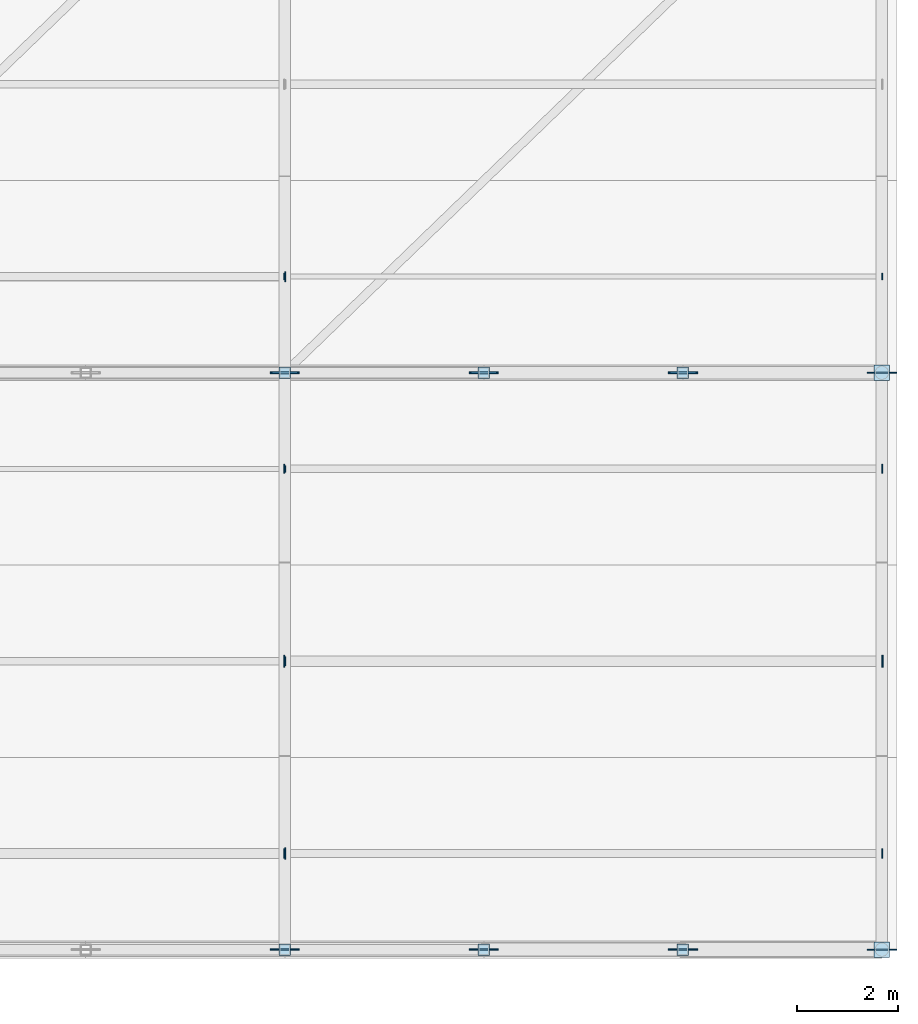
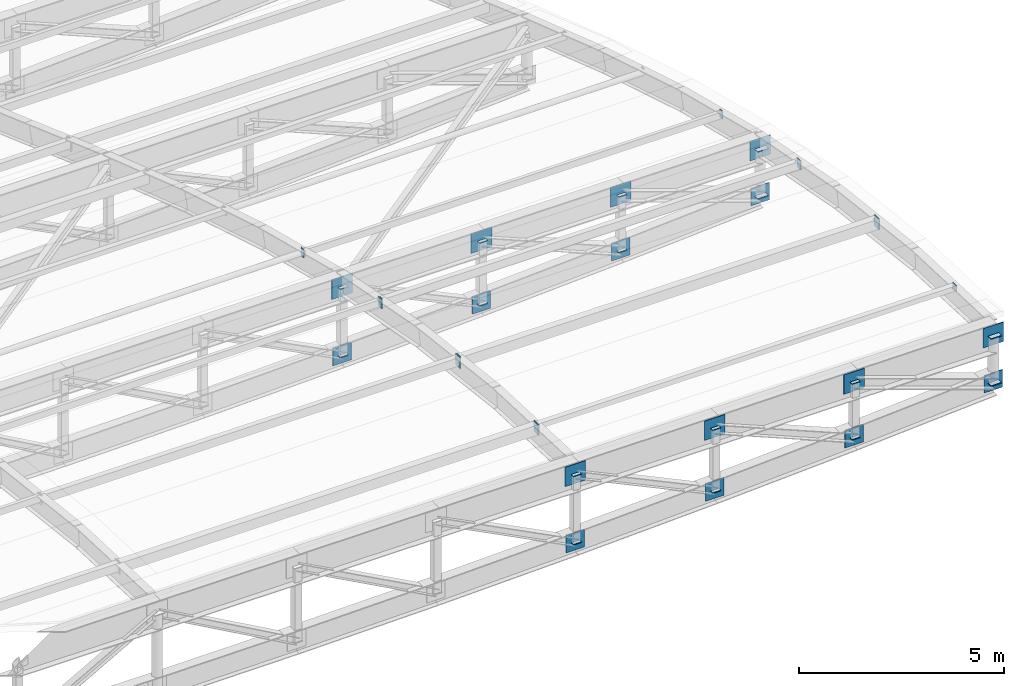
# One storey, part 42 of 65: 44 plates.
"""IFC4 building model written with IfcOpenShell, lengths in metres."""

import ifcopenshell
import ifcopenshell.guid

model = None  # the IFC model being written
_history = None  # IfcOwnerHistory: only IFC2X3 demands one
_inside = {}  # id of a spatial element -> (the spatial element, [elements in it])
_under = {}  # id of a project, library or spatial element -> (it, [spatial elements below it])
_declared = {}  # id of a project -> (the project, [libraries it declares])
_typed = {}  # id of a type object -> (the type object, [elements of that type])
_made_of = {}  # id of a material, layer set ... -> (it, [elements and type objects made of it])


def new_model(schema):
    """Start an empty IFC model of exactly this schema.

    Asked for "IFC4X3", IfcOpenShell would pick the latest addendum, in which some entities
    have other attributes; the version numbers below select the first issue.
    IFC2X3 requires an IfcOwnerHistory on every rooted entity: one is made here for all.
    """
    global model, _history
    if schema == "IFC4X3":
        model = ifcopenshell.file(schema_version=(4, 3, 0, 0))
    else:
        model = ifcopenshell.file(schema=schema)
    _inside.clear()
    _under.clear()
    _declared.clear()
    _typed.clear()
    _made_of.clear()
    _history = None
    if model.schema == "IFC2X3":
        org = make("IfcOrganization", Name="unknown")
        user = make(
            "IfcPersonAndOrganization",
            ThePerson=make("IfcPerson", FamilyName="unknown"),
            TheOrganization=org,
        )
        app = make(
            "IfcApplication",
            ApplicationDeveloper=org,
            Version="unknown",
            ApplicationFullName="unknown",
            ApplicationIdentifier="unknown",
        )
        _history = make(
            "IfcOwnerHistory",
            OwningUser=user,
            OwningApplication=app,
            ChangeAction="ADDED",
            CreationDate=0,
        )
    return model


def make(cls, **values):
    """One entity of the class cls with the attributes given. An attribute that is None is left unset."""
    return model.create_entity(
        cls, **{name: value for name, value in values.items() if value is not None}
    )


def rooted(cls, **values):
    """An entity with a GlobalId (a new one), such as an element, a storey or a relation."""
    return make(cls, GlobalId=ifcopenshell.guid.new(), OwnerHistory=_history, **values)


def si_unit(unit_type, name, prefix=None):
    """IfcSIUnit, for example si_unit("LENGTHUNIT", "METRE", prefix="MILLI")."""
    return make("IfcSIUnit", UnitType=unit_type, Prefix=prefix, Name=name)


def assignment(units):
    """IfcUnitAssignment: the units of a project."""
    return None if units is None else make("IfcUnitAssignment", Units=units)


def point(xyz):
    """IfcCartesianPoint."""
    return None if xyz is None else make("IfcCartesianPoint", Coordinates=xyz)


def direction(xyz):
    """IfcDirection."""
    return None if xyz is None else make("IfcDirection", DirectionRatios=xyz)


def frame(location, z_axis=None, x_axis=None):
    """IfcAxis2Placement3D, a coordinate frame: its origin and axes. An axis left out is left unset."""
    return make(
        "IfcAxis2Placement3D",
        Location=point(location),
        Axis=direction(z_axis),
        RefDirection=direction(x_axis),
    )


def frame_2d(location, x_axis=None):
    """IfcAxis2Placement2D, a coordinate frame in the plane: its origin and x axis."""
    return make(
        "IfcAxis2Placement2D", Location=point(location), RefDirection=direction(x_axis)
    )


def origin():
    """The frame at (0, 0, 0) with its axes left unset."""
    return frame((0.0, 0.0, 0.0))


def origin_2d():
    """The frame at (0, 0) in the plane with its x axis left unset."""
    return frame_2d((0.0, 0.0))


def place(relative_to, where):
    """IfcLocalPlacement: puts the frame where relative to a parent placement (None: the world)."""
    return make(
        "IfcLocalPlacement", PlacementRelTo=relative_to, RelativePlacement=where
    )


def context(
    kind, dimensions, precision=None, world=None, true_north=None, identifier=None
):
    """IfcGeometricRepresentationContext, for example the 3D "Model" context."""
    return make(
        "IfcGeometricRepresentationContext",
        ContextIdentifier=identifier,
        ContextType=kind,
        CoordinateSpaceDimension=dimensions,
        Precision=precision,
        WorldCoordinateSystem=world,
        TrueNorth=true_north,
    )


def subcontext(parent, identifier, kind, view, scale=None):
    """IfcGeometricRepresentationSubContext, for example "Body" below "Model"."""
    return make(
        "IfcGeometricRepresentationSubContext",
        ContextIdentifier=identifier,
        ContextType=kind,
        ParentContext=parent,
        TargetScale=scale,
        TargetView=view,
    )


def project(units=None, contexts=None):
    """IfcProject with its units and contexts."""
    return rooted(
        "IfcProject",
        Name="project",
        RepresentationContexts=contexts,
        UnitsInContext=assignment(units),
    )


def spatial(cls, under=None, at=None, **own):
    """A site, building, storey or space (cls), placed at a placement, below another one or the project."""
    s = rooted(cls, ObjectPlacement=at, **own)
    if under is not None:
        _under.setdefault(under.id(), (under, []))[1].append(s)
    return s


def profile(cls, at=None, kind="AREA", **sizes):
    """A parametric profile (cls). Its sizes go by their IFC names, for example OverallWidth=200.0."""
    return make(cls, ProfileType=kind, Position=at, **sizes)


def rectangle(**sizes):
    """IfcRectangleProfileDef."""
    return profile("IfcRectangleProfileDef", **sizes)


def extrude(swept, where, along, depth):
    """IfcExtrudedAreaSolid: the profile swept, set in the frame where, extruded along a direction by depth."""
    return make(
        "IfcExtrudedAreaSolid",
        SweptArea=swept,
        Position=where,
        ExtrudedDirection=direction(along),
        Depth=depth,
    )


def shape(context_of_items, identifier, shape_type, items):
    """IfcShapeRepresentation: the items that make up one representation, for example the "Body"."""
    return make(
        "IfcShapeRepresentation",
        ContextOfItems=context_of_items,
        RepresentationIdentifier=identifier,
        RepresentationType=shape_type,
        Items=items,
    )


def material(Name=None, Category=None):
    """IfcMaterial."""
    return make("IfcMaterial", Name=Name, Category=Category)


def layer(
    of_material, thickness, ventilated=None, Name=None, Category=None, Priority=None
):
    """IfcMaterialLayer: one layer of a wall or slab, of a material (None: an air gap)."""
    return make(
        "IfcMaterialLayer",
        Material=of_material,
        LayerThickness=thickness,
        IsVentilated=ventilated,
        Name=Name,
        Category=Category,
        Priority=Priority,
    )


def layer_set(layers, Name=None):
    """IfcMaterialLayerSet."""
    return make("IfcMaterialLayerSet", MaterialLayers=layers, LayerSetName=Name)


def made_of(thing, what):
    """Note that an element or type object is made of a material, layer set ...; save() writes the relation."""
    if what is not None:
        _made_of.setdefault(what.id(), (what, []))[1].append(thing)
    return thing


def type_object(cls, material=None, **own):
    """A type object (cls), such as IfcWallType, which elements share."""
    return made_of(rooted(cls, **own), material)


def element(
    cls,
    number,
    at=None,
    inside=None,
    cuts=None,
    type_object=None,
    material=None,
    context=None,
    identifier="Body",
    shape_type=None,
    held_by="IfcProductDefinitionShape",
    body=None,
    shapes=None,
    **own,
):
    """One element of the class cls, such as IfcWall. Its Tag is "e" and its number.

    at: its placement. inside: the storey or other place that contains it. cuts: it is an
    opening in that element (IfcRelVoidsElement). A single representation is given by context,
    identifier, shape_type and body (its items); several are given by shapes. held_by: the class
    of the entity that holds the representations. save() writes the other relations.
    """
    e = rooted(cls, Tag="e%d" % number, ObjectPlacement=at, **own)
    if body is not None:
        shapes = [shape(context, identifier, shape_type, body)]
    if shapes is not None:
        e.Representation = make(held_by, Representations=shapes)
    if inside is not None:
        _inside.setdefault(inside.id(), (inside, []))[1].append(e)
    if cuts is not None:
        rooted(
            "IfcRelVoidsElement", RelatingBuildingElement=cuts, RelatedOpeningElement=e
        )
    if type_object is not None:
        _typed.setdefault(type_object.id(), (type_object, []))[1].append(e)
    return made_of(e, material)


def aggregate(whole, parts):
    """IfcRelAggregates: a whole, such as a stair, and the parts it consists of."""
    return rooted("IfcRelAggregates", RelatingObject=whole, RelatedObjects=parts)


def save(model, path):
    """Write the relations noted so far, then the file.

    IfcRelAggregates (storeys below a building ...), IfcRelContainedInSpatialStructure (elements
    in a storey), IfcRelDefinesByType, IfcRelAssociatesMaterial and IfcRelDeclares: one each for
    every whole, place, type object, material and project.
    """
    for whole, parts in _under.values():
        aggregate(whole, parts)
    for where, things in _inside.values():
        rooted(
            "IfcRelContainedInSpatialStructure",
            RelatedElements=things,
            RelatingStructure=where,
        )
    for kind, things in _typed.values():
        rooted("IfcRelDefinesByType", RelatedObjects=things, RelatingType=kind)
    for what, things in _made_of.values():
        rooted("IfcRelAssociatesMaterial", RelatedObjects=things, RelatingMaterial=what)
    for by, libraries in _declared.values():
        rooted("IfcRelDeclares", RelatingContext=by, RelatedDefinitions=libraries)
    model.write(path)


model = new_model("IFC4")

# Units and contexts
model_context = context("Model", 3, precision=1e-05, world=origin(), true_north=direction((0.0, 1.0)))
body_context = subcontext(model_context, "Body", "Model", "MODEL_VIEW")
ifc_project = project(units=[si_unit("LENGTHUNIT", "METRE"), si_unit("AREAUNIT", "SQUARE_METRE"), si_unit("VOLUMEUNIT", "CUBIC_METRE"), si_unit("PLANEANGLEUNIT", "RADIAN"), si_unit("MASSUNIT", "GRAM", prefix="KILO"), si_unit("POWERUNIT", "WATT"), si_unit("THERMODYNAMICTEMPERATUREUNIT", "KELVIN")], contexts=[model_context])

# Site, building, storey
site_placement = place(None, origin())
site = spatial("IfcSite", under=ifc_project, at=site_placement, CompositionType="ELEMENT")
building_placement = place(site_placement, origin())
building = spatial("IfcBuilding", under=site, at=building_placement, Name="Kelmbourne Parkland Aquatics Centre", CompositionType="ELEMENT")
storey_placement = place(building_placement, frame((0.0, 0.0, 27.0)))
storey = spatial("IfcBuildingStorey", under=building, at=storey_placement, Name="RF", CompositionType="ELEMENT", Elevation=27.0)

# Plates
ifc_material = material(Name="Welded plate steel AS/NZS 3678 Grade 350", Category="steel")
ifc_layer_1 = layer(ifc_material, 0.02001953125)
ifc_layer_set_1 = layer_set([ifc_layer_1], Name="Welded plate steel AS/NZS 3678 Grade 350")
plate_type_1 = type_object("IfcPlateType", Name="PL-CAP-20", PredefinedType="USERDEFINED", material=ifc_layer_set_1)
for number, where, z_axis, x_axis, name in (
    (1, (163.39990234375, 0.800048828125, -2.8564453125), (0.0, 0.0, 1.0), (1.0, 0.0, 0.0), "Hollow end cap plate CAP-0033"),
    (2, (163.39990234375, 0.800048828125, -0.821044921875), (0.0, 0.0, 1.0), (1.0, 0.0, 0.0), "Hollow end cap plate CAP-0034"),
    (3, (167.333251953125, 0.800048828125, -2.691162109375), (0.0, 0.0, 1.0), (1.0, 0.0, 0.0), "Hollow end cap plate CAP-0035"),
    (4, (167.333251953125, 0.800048828125, -0.821044921875), (0.0, 0.0, 1.0), (1.0, 0.0, 0.0), "Hollow end cap plate CAP-0036"),
    (5, (171.2666015625, 0.800048828125, -2.478759765625), (0.0, 0.0, 1.0), (1.0, 0.0, 0.0), "Hollow end cap plate CAP-0037"),
    (6, (171.2666015625, 0.800048828125, -0.821044921875), (0.0, 0.0, 1.0), (1.0, 0.0, 0.0), "Hollow end cap plate CAP-0038"),
    (7, (163.39990234375, 12.199951171875, -4.187255859375), (0.0, 0.0, 1.0), (1.0, 0.0, 0.0), "Hollow end cap plate CAP-0059"),
    (8, (163.39990234375, 12.199951171875, -2.15185546875), (0.0, 0.0, 1.0), (1.0, 0.0, 0.0), "Hollow end cap plate CAP-0060"),
    (9, (167.333251953125, 12.199951171875, -4.02197265625), (0.0, 0.0, 1.0), (1.0, 0.0, 0.0), "Hollow end cap plate CAP-0061"),
    (10, (167.333251953125, 12.199951171875, -2.15185546875), (0.0, 0.0, 1.0), (1.0, 0.0, 0.0), "Hollow end cap plate CAP-0062"),
    (11, (171.2666015625, 12.199951171875, -3.8095703125), (0.0, 0.0, 1.0), (1.0, 0.0, 0.0), "Hollow end cap plate CAP-0063"),
    (12, (171.2666015625, 12.199951171875, -2.15185546875), (0.0, 0.0, 1.0), (1.0, 0.0, 0.0), "Hollow end cap plate CAP-0064"),
):
    element("IfcPlate", number, at=place(storey_placement, frame(where, z_axis=z_axis, x_axis=x_axis)), inside=storey, type_object=plate_type_1, Name=name, ObjectType="END CAP PLATE", PredefinedType="USERDEFINED", context=body_context, shape_type="SweptSolid", body=[
        extrude(rectangle(XDim=0.22998046875, YDim=0.22998046875, at=origin_2d()), origin(), (0.0, 0.0, 1.0), 0.02001953125),
    ])
for number, where, z_axis, x_axis, name in (
    (13, (163.39111328125, 2.699951171875, -0.63134765625), (0.0, 0.0, 1.0), (-1.0, 0.0, 0.0), "Hollow end cap plate CAP-0307"),
    (14, (175.208984375, 2.699951171875, -0.63134765625), (0.0, 0.0, 1.0), (1.0, 0.0, 0.0), "Hollow end cap plate CAP-0308"),
):
    element("IfcPlate", number, at=place(storey_placement, frame(where, z_axis=z_axis, x_axis=x_axis)), inside=storey, type_object=plate_type_1, Name=name, ObjectType="END CAP PLATE", PredefinedType="USERDEFINED", context=body_context, shape_type="SweptSolid", body=[
        extrude(rectangle(XDim=0.02001953125, YDim=0.179931640625, at=origin_2d()), origin(), (0.0, 0.0, 1.0), 0.179931640625),
    ])
plate_1_placement = place(storey_placement, frame((163.408935546875, 6.5, -1.03369140625), z_axis=(0.0, 0.0, 1.0), x_axis=(1.0, 0.0, 0.0)))
element("IfcPlate", 15, at=plate_1_placement, inside=storey, type_object=plate_type_1, Name="Hollow end cap plate CAP-0314", ObjectType="END CAP PLATE", PredefinedType="USERDEFINED", context=body_context, shape_type="SweptSolid", body=[
    extrude(rectangle(XDim=0.02001953125, YDim=0.179931640625, at=origin_2d()), origin(), (0.0, 0.0, 1.0), 0.280029296875),
])
plate_2_placement = place(storey_placement, frame((163.408935546875, 10.300048828125, -1.572509765625), z_axis=(0.0, 0.0, 1.0), x_axis=(1.0, 0.0, 0.0)))
element("IfcPlate", 16, at=plate_2_placement, inside=storey, type_object=plate_type_1, Name="Hollow end cap plate CAP-0322", ObjectType="END CAP PLATE", PredefinedType="USERDEFINED", context=body_context, shape_type="SweptSolid", body=[
    extrude(rectangle(XDim=0.02001953125, YDim=0.1298828125, at=origin_2d()), origin(), (0.0, 0.0, 1.0), 0.22998046875),
])
for number, where, z_axis, x_axis, name in (
    (17, (163.39111328125, 10.300048828125, -1.62255859375), (0.0, 0.0, 1.0), (-1.0, 0.0, 0.0), "Hollow end cap plate CAP-0323"),
    (18, (175.208984375, 10.300048828125, -1.62255859375), (0.0, 0.0, 1.0), (1.0, 0.0, 0.0), "Hollow end cap plate CAP-0324"),
):
    element("IfcPlate", number, at=place(storey_placement, frame(where, z_axis=z_axis, x_axis=x_axis)), inside=storey, type_object=plate_type_1, Name=name, ObjectType="END CAP PLATE", PredefinedType="USERDEFINED", context=body_context, shape_type="SweptSolid", body=[
        extrude(rectangle(XDim=0.02001953125, YDim=0.179931640625, at=origin_2d()), origin(), (0.0, 0.0, 1.0), 0.280029296875),
    ])
plate_3_placement = place(storey_placement, frame((163.408935546875, 14.10009765625, -2.386962890625), z_axis=(0.0, 0.0, 1.0), x_axis=(1.0, 0.0, 0.0)))
element("IfcPlate", 19, at=plate_3_placement, inside=storey, type_object=plate_type_1, Name="Hollow end cap plate CAP-0330", ObjectType="END CAP PLATE", PredefinedType="USERDEFINED", context=body_context, shape_type="SweptSolid", body=[
    extrude(rectangle(XDim=0.02001953125, YDim=0.1982421875, at=origin_2d()), origin(), (0.0, 0.0, 1.0), 0.1982421875),
])
for number, where, z_axis, x_axis, name in (
    (20, (163.39111328125, 14.10009765625, -2.418701171875), (0.0, 0.0, 1.0), (-1.0, 0.0, 0.0), "Hollow end cap plate CAP-0331"),
    (21, (175.208984375, 14.10009765625, -2.418701171875), (0.0, 0.0, 1.0), (1.0, 0.0, 0.0), "Hollow end cap plate CAP-0332"),
):
    element("IfcPlate", number, at=place(storey_placement, frame(where, z_axis=z_axis, x_axis=x_axis)), inside=storey, type_object=plate_type_1, Name=name, ObjectType="END CAP PLATE", PredefinedType="USERDEFINED", context=body_context, shape_type="SweptSolid", body=[
        extrude(rectangle(XDim=0.02001953125, YDim=0.1298828125, at=origin_2d()), origin(), (0.0, 0.0, 1.0), 0.22998046875),
    ])
ifc_layer_2 = layer(ifc_material, 0.02392578125)
ifc_layer_set_2 = layer_set([ifc_layer_2], Name="Welded plate steel AS/NZS 3678 Grade 350")
plate_type_2 = type_object("IfcPlateType", Name="PL-CAP-24", PredefinedType="USERDEFINED", material=ifc_layer_set_2)
for number, where, z_axis, x_axis, name in (
    (22, (175.199951171875, 0.800048828125, -2.222900390625), (0.0, 0.0, 1.0), (1.0, 0.0, 0.0), "Hollow end cap plate CAP-0039"),
    (23, (175.199951171875, 0.800048828125, -0.821044921875), (0.0, 0.0, 1.0), (1.0, 0.0, 0.0), "Hollow end cap plate CAP-0040"),
    (24, (175.199951171875, 12.199951171875, -3.5537109375), (0.0, 0.0, 1.0), (1.0, 0.0, 0.0), "Hollow end cap plate CAP-0065"),
    (25, (175.199951171875, 12.199951171875, -2.15185546875), (0.0, 0.0, 1.0), (1.0, 0.0, 0.0), "Hollow end cap plate CAP-0066"),
):
    element("IfcPlate", number, at=place(storey_placement, frame(where, z_axis=z_axis, x_axis=x_axis)), inside=storey, type_object=plate_type_2, Name=name, ObjectType="END CAP PLATE", PredefinedType="USERDEFINED", context=body_context, shape_type="SweptSolid", body=[
        extrude(rectangle(XDim=0.302978515625, YDim=0.302978515625, at=origin_2d()), origin(), (0.0, 0.0, 1.0), 0.02392578125),
    ])
for number, where, z_axis, x_axis, name in (
    (26, (163.410888671875, 2.699951171875, -0.781494140625), (0.0, 0.0, 1.0), (1.0, 0.0, 0.0), "Hollow end cap plate CAP-0306"),
    (27, (163.388916015625, 6.5, -1.08349609375), (0.0, 0.0, 1.0), (-1.0, 0.0, 0.0), "Hollow end cap plate CAP-0315"),
    (28, (175.2109375, 6.5, -1.08349609375), (0.0, 0.0, 1.0), (1.0, 0.0, 0.0), "Hollow end cap plate CAP-0316"),
):
    element("IfcPlate", number, at=place(storey_placement, frame(where, z_axis=z_axis, x_axis=x_axis)), inside=storey, type_object=plate_type_2, Name=name, ObjectType="END CAP PLATE", PredefinedType="USERDEFINED", context=body_context, shape_type="SweptSolid", body=[
        extrude(rectangle(XDim=0.02392578125, YDim=0.22998046875, at=origin_2d()), origin(), (0.0, 0.0, 1.0), 0.330078125),
    ])
ifc_layer_3 = layer(ifc_material, 0.02001953125)
ifc_layer_set_3 = layer_set([ifc_layer_3], Name="Welded plate steel AS/NZS 3678 Grade 350")
plate_type_3 = type_object("IfcPlateType", Name="PL-GUS-1", PredefinedType="USERDEFINED", material=ifc_layer_set_3)
plate_4_placement = place(storey_placement, frame((175.199951171875, 0.800048828125, -1.110107421875), z_axis=(0.0, 0.0, 1.0), x_axis=(1.0, 0.0, 0.0)))
element("IfcPlate", 29, at=plate_4_placement, inside=storey, type_object=plate_type_3, Name="Truss top node TN-1 gusset plate R00-N12", ObjectType="GUSSET PLATE", PredefinedType="USERDEFINED", context=body_context, shape_type="SweptSolid", body=[
    extrude(rectangle(XDim=0.580078125, YDim=0.02001953125, at=origin_2d()), origin(), (0.0, 0.0, 1.0), 0.580078125),
])
plate_5_placement = place(storey_placement, frame((175.199951171875, 0.800048828125, -2.4599609375), z_axis=(0.0, 0.0, 1.0), x_axis=(1.0, 0.0, 0.0)))
element("IfcPlate", 30, at=plate_5_placement, inside=storey, type_object=plate_type_3, Name="Truss bottom node TN-1 gusset plate R00-B12", ObjectType="GUSSET PLATE", PredefinedType="USERDEFINED", context=body_context, shape_type="SweptSolid", body=[
    extrude(rectangle(XDim=0.52001953125, YDim=0.02001953125, at=origin_2d()), origin(), (0.0, 0.0, 1.0), 0.52001953125),
])
plate_6_placement = place(storey_placement, frame((175.199951171875, 12.199951171875, -2.44091796875), z_axis=(0.0, 0.0, 1.0), x_axis=(1.0, 0.0, 0.0)))
element("IfcPlate", 31, at=plate_6_placement, inside=storey, type_object=plate_type_3, Name="Truss top node TN-1 gusset plate R01-N12", ObjectType="GUSSET PLATE", PredefinedType="USERDEFINED", context=body_context, shape_type="SweptSolid", body=[
    extrude(rectangle(XDim=0.580078125, YDim=0.02001953125, at=origin_2d()), origin(), (0.0, 0.0, 1.0), 0.580078125),
])
plate_7_placement = place(storey_placement, frame((175.199951171875, 12.199951171875, -3.790771484375), z_axis=(0.0, 0.0, 1.0), x_axis=(1.0, 0.0, 0.0)))
element("IfcPlate", 32, at=plate_7_placement, inside=storey, type_object=plate_type_3, Name="Truss bottom node TN-1 gusset plate R01-B12", ObjectType="GUSSET PLATE", PredefinedType="USERDEFINED", context=body_context, shape_type="SweptSolid", body=[
    extrude(rectangle(XDim=0.52001953125, YDim=0.02001953125, at=origin_2d()), origin(), (0.0, 0.0, 1.0), 0.52001953125),
])
ifc_layer_4 = layer(ifc_material, 0.031982421875)
ifc_layer_set_4 = layer_set([ifc_layer_4], Name="Welded plate steel AS/NZS 3678 Grade 350")
plate_type_4 = type_object("IfcPlateType", Name="PL-GUS-3", PredefinedType="USERDEFINED", material=ifc_layer_set_4)
plate_8_placement = place(storey_placement, frame((163.39990234375, 0.800048828125, -1.110107421875), z_axis=(0.0, 0.0, 1.0), x_axis=(1.0, 0.0, 0.0)))
element("IfcPlate", 33, at=plate_8_placement, inside=storey, type_object=plate_type_4, Name="Truss top node TN-3 gusset plate R00-N9", ObjectType="GUSSET PLATE", PredefinedType="USERDEFINED", context=body_context, shape_type="SweptSolid", body=[
    extrude(rectangle(XDim=0.580078125, YDim=0.031982421875, at=origin_2d()), origin(), (0.0, 0.0, 1.0), 0.580078125),
])
plate_9_placement = place(storey_placement, frame((163.39990234375, 0.800048828125, -3.097412109375), z_axis=(0.0, 0.0, 1.0), x_axis=(1.0, 0.0, 0.0)))
element("IfcPlate", 34, at=plate_9_placement, inside=storey, type_object=plate_type_4, Name="Truss bottom node TN-3 gusset plate R00-B9", ObjectType="GUSSET PLATE", PredefinedType="USERDEFINED", context=body_context, shape_type="SweptSolid", body=[
    extrude(rectangle(XDim=0.52001953125, YDim=0.031982421875, at=origin_2d()), origin(), (0.0, 0.0, 1.0), 0.52001953125),
])
plate_10_placement = place(storey_placement, frame((167.333251953125, 0.800048828125, -1.110107421875), z_axis=(0.0, 0.0, 1.0), x_axis=(1.0, 0.0, 0.0)))
element("IfcPlate", 35, at=plate_10_placement, inside=storey, type_object=plate_type_4, Name="Truss top node TN-3 gusset plate R00-N10", ObjectType="GUSSET PLATE", PredefinedType="USERDEFINED", context=body_context, shape_type="SweptSolid", body=[
    extrude(rectangle(XDim=0.580078125, YDim=0.031982421875, at=origin_2d()), origin(), (0.0, 0.0, 1.0), 0.580078125),
])
plate_11_placement = place(storey_placement, frame((167.333251953125, 0.800048828125, -2.93212890625), z_axis=(0.0, 0.0, 1.0), x_axis=(1.0, 0.0, 0.0)))
element("IfcPlate", 36, at=plate_11_placement, inside=storey, type_object=plate_type_4, Name="Truss bottom node TN-3 gusset plate R00-B10", ObjectType="GUSSET PLATE", PredefinedType="USERDEFINED", context=body_context, shape_type="SweptSolid", body=[
    extrude(rectangle(XDim=0.52001953125, YDim=0.031982421875, at=origin_2d()), origin(), (0.0, 0.0, 1.0), 0.52001953125),
])
plate_12_placement = place(storey_placement, frame((171.2666015625, 0.800048828125, -1.110107421875), z_axis=(0.0, 0.0, 1.0), x_axis=(1.0, 0.0, 0.0)))
element("IfcPlate", 37, at=plate_12_placement, inside=storey, type_object=plate_type_4, Name="Truss top node TN-3 gusset plate R00-N11", ObjectType="GUSSET PLATE", PredefinedType="USERDEFINED", context=body_context, shape_type="SweptSolid", body=[
    extrude(rectangle(XDim=0.580078125, YDim=0.031982421875, at=origin_2d()), origin(), (0.0, 0.0, 1.0), 0.580078125),
])
plate_13_placement = place(storey_placement, frame((171.2666015625, 0.800048828125, -2.7197265625), z_axis=(0.0, 0.0, 1.0), x_axis=(1.0, 0.0, 0.0)))
element("IfcPlate", 38, at=plate_13_placement, inside=storey, type_object=plate_type_4, Name="Truss bottom node TN-3 gusset plate R00-B11", ObjectType="GUSSET PLATE", PredefinedType="USERDEFINED", context=body_context, shape_type="SweptSolid", body=[
    extrude(rectangle(XDim=0.52001953125, YDim=0.031982421875, at=origin_2d()), origin(), (0.0, 0.0, 1.0), 0.52001953125),
])
plate_14_placement = place(storey_placement, frame((163.39990234375, 12.199951171875, -2.44091796875), z_axis=(0.0, 0.0, 1.0), x_axis=(1.0, 0.0, 0.0)))
element("IfcPlate", 39, at=plate_14_placement, inside=storey, type_object=plate_type_4, Name="Truss top node TN-3 gusset plate R01-N9", ObjectType="GUSSET PLATE", PredefinedType="USERDEFINED", context=body_context, shape_type="SweptSolid", body=[
    extrude(rectangle(XDim=0.580078125, YDim=0.031982421875, at=origin_2d()), origin(), (0.0, 0.0, 1.0), 0.580078125),
])
plate_15_placement = place(storey_placement, frame((163.39990234375, 12.199951171875, -4.42822265625), z_axis=(0.0, 0.0, 1.0), x_axis=(1.0, 0.0, 0.0)))
element("IfcPlate", 40, at=plate_15_placement, inside=storey, type_object=plate_type_4, Name="Truss bottom node TN-3 gusset plate R01-B9", ObjectType="GUSSET PLATE", PredefinedType="USERDEFINED", context=body_context, shape_type="SweptSolid", body=[
    extrude(rectangle(XDim=0.52001953125, YDim=0.031982421875, at=origin_2d()), origin(), (0.0, 0.0, 1.0), 0.52001953125),
])
plate_16_placement = place(storey_placement, frame((167.333251953125, 12.199951171875, -2.44091796875), z_axis=(0.0, 0.0, 1.0), x_axis=(1.0, 0.0, 0.0)))
element("IfcPlate", 41, at=plate_16_placement, inside=storey, type_object=plate_type_4, Name="Truss top node TN-3 gusset plate R01-N10", ObjectType="GUSSET PLATE", PredefinedType="USERDEFINED", context=body_context, shape_type="SweptSolid", body=[
    extrude(rectangle(XDim=0.580078125, YDim=0.031982421875, at=origin_2d()), origin(), (0.0, 0.0, 1.0), 0.580078125),
])
plate_17_placement = place(storey_placement, frame((167.333251953125, 12.199951171875, -4.262939453125), z_axis=(0.0, 0.0, 1.0), x_axis=(1.0, 0.0, 0.0)))
element("IfcPlate", 42, at=plate_17_placement, inside=storey, type_object=plate_type_4, Name="Truss bottom node TN-3 gusset plate R01-B10", ObjectType="GUSSET PLATE", PredefinedType="USERDEFINED", context=body_context, shape_type="SweptSolid", body=[
    extrude(rectangle(XDim=0.52001953125, YDim=0.031982421875, at=origin_2d()), origin(), (0.0, 0.0, 1.0), 0.52001953125),
])
plate_18_placement = place(storey_placement, frame((171.2666015625, 12.199951171875, -2.44091796875), z_axis=(0.0, 0.0, 1.0), x_axis=(1.0, 0.0, 0.0)))
element("IfcPlate", 43, at=plate_18_placement, inside=storey, type_object=plate_type_4, Name="Truss top node TN-3 gusset plate R01-N11", ObjectType="GUSSET PLATE", PredefinedType="USERDEFINED", context=body_context, shape_type="SweptSolid", body=[
    extrude(rectangle(XDim=0.580078125, YDim=0.031982421875, at=origin_2d()), origin(), (0.0, 0.0, 1.0), 0.580078125),
])
plate_19_placement = place(storey_placement, frame((171.2666015625, 12.199951171875, -4.050537109375), z_axis=(0.0, 0.0, 1.0), x_axis=(1.0, 0.0, 0.0)))
element("IfcPlate", 44, at=plate_19_placement, inside=storey, type_object=plate_type_4, Name="Truss bottom node TN-3 gusset plate R01-B11", ObjectType="GUSSET PLATE", PredefinedType="USERDEFINED", context=body_context, shape_type="SweptSolid", body=[
    extrude(rectangle(XDim=0.52001953125, YDim=0.031982421875, at=origin_2d()), origin(), (0.0, 0.0, 1.0), 0.52001953125),
])

save(model, "model.ifc")
